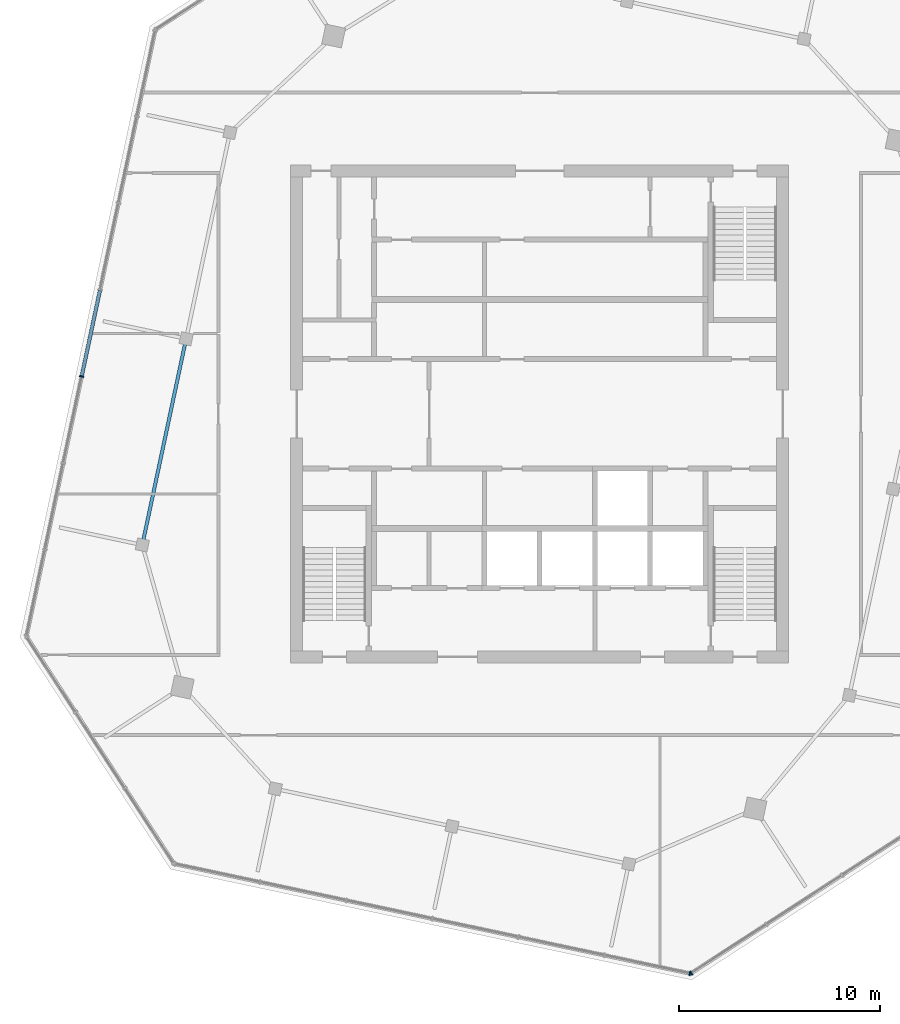
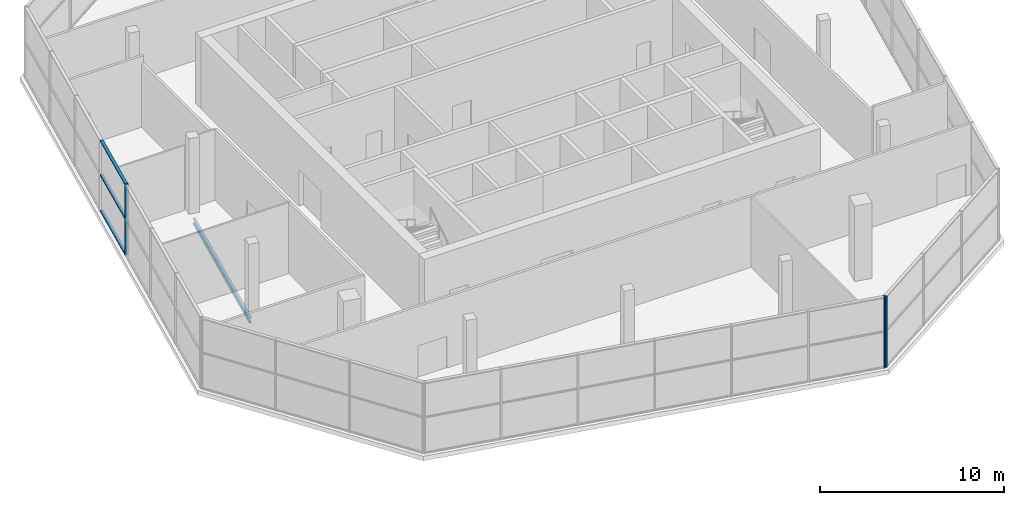
# One storey, part 3 of 11: 6 members, 1 beam, 3 elements without a shape of their own.
"""IFC4 building model written with IfcOpenShell, lengths in metres."""

from ifc_helpers import new_model, si_unit, direction, frame, origin, origin_2d, place, context, subcontext, project, spatial, rectangle, i_section, extrude, material, material_profile, profile_set, type_object, element, aggregate, save


model = new_model("IFC4")

# Units and contexts
model_context = context("Model", 3, precision=1e-05, world=origin(), true_north=direction((0.0, 1.0)))
body_context = subcontext(model_context, "Body", "Model", "MODEL_VIEW")
ifc_project = project(units=[si_unit("LENGTHUNIT", "METRE"), si_unit("AREAUNIT", "SQUARE_METRE"), si_unit("VOLUMEUNIT", "CUBIC_METRE"), si_unit("PLANEANGLEUNIT", "RADIAN"), si_unit("MASSUNIT", "GRAM", prefix="KILO")], contexts=[model_context])

# Site, building, storey
site_placement = place(None, origin())
site = spatial("IfcSite", under=ifc_project, at=site_placement, CompositionType="ELEMENT")
building_placement = place(site_placement, origin())
building = spatial("IfcBuilding", under=site, at=building_placement, Name="Dilmun Exchange Tower", CompositionType="ELEMENT")
storey_placement = place(building_placement, frame((0.0, 0.0, 363.10009765625)))
storey = spatial("IfcBuildingStorey", under=building, at=storey_placement, Name="Crown L85", CompositionType="ELEMENT", Elevation=363.10009765625)

# Curtain wall, member
ifc_material_1 = material(Name="Anodised aluminium and clear glass", Category="aluminium")
curtain_wall_type = type_object("IfcCurtainWallType", Name="Sky garden glazing", PredefinedType="NOTDEFINED", material=ifc_material_1)
curtain_wall_1_placement = place(storey_placement, origin())
curtain_wall_1 = element("IfcCurtainWall", 1, at=curtain_wall_1_placement, inside=storey, type_object=curtain_wall_type, Name="Sky garden glazing run SG1", PredefinedType="NOTDEFINED")
ifc_material_2 = material(Name="Anodised aluminium", Category="aluminium")
ifc_material_profile_1 = material_profile(ifc_material_2, rectangle(XDim=0.219970703125, YDim=0.070068359375, at=origin_2d()), Name="AL 70x220")
ifc_profile_set_1 = profile_set([ifc_material_profile_1], Name="Anodised aluminium")
member_type_1 = type_object("IfcMemberType", Name="Sky garden glazing mullion 70 x 220", PredefinedType="MULLION", material=ifc_profile_set_1)
member_1_placement = place(storey_placement, frame((7.48291015625, -27.86474609375, 0.0), z_axis=(0.0, 0.0, 1.0), x_axis=(0.20791287979, 0.978147348009, 0.0)))
member_1 = element("IfcMember", 2, at=member_1_placement, type_object=member_type_1, Name="SG1 mullion 7", PredefinedType="MULLION", context=body_context, shape_type="SweptSolid", body=[
    extrude(rectangle(XDim=0.219970703125, YDim=0.070068359375, at=origin_2d()), origin(), (0.0, 0.0, 1.0), 4.699951171875),
])
aggregate(curtain_wall_1, [member_1])

curtain_wall_2_placement = place(storey_placement, origin())
curtain_wall_2 = element("IfcCurtainWall", 3, at=curtain_wall_2_placement, inside=storey, type_object=curtain_wall_type, Name="Sky garden glazing run SG2", PredefinedType="NOTDEFINED")
member_2_placement = place(storey_placement, frame((7.546630859375, -27.85302734375, 0.0), z_axis=(0.0, 0.0, 1.0), x_axis=(-0.544644325751, 0.838667132077, 0.0)))
member_2 = element("IfcMember", 4, at=member_2_placement, type_object=member_type_1, Name="SG2 mullion 1", PredefinedType="MULLION", context=body_context, shape_type="SweptSolid", body=[
    extrude(rectangle(XDim=0.219970703125, YDim=0.070068359375, at=origin_2d()), origin(), (0.0, 0.0, 1.0), 4.699951171875),
])
aggregate(curtain_wall_2, [member_2])

# Curtain wall, members
curtain_wall_3_placement = place(storey_placement, origin())
curtain_wall_3 = element("IfcCurtainWall", 5, at=curtain_wall_3_placement, inside=storey, type_object=curtain_wall_type, Name="Sky garden glazing run SG7", PredefinedType="NOTDEFINED")
member_3_placement = place(storey_placement, frame((-22.8095703125, 1.870361328125, 0.0), z_axis=(0.0, 0.0, 1.0), x_axis=(0.97814767341, -0.207911348902, 0.0)))
member_3 = element("IfcMember", 6, at=member_3_placement, type_object=member_type_1, Name="SG7 mullion 5", PredefinedType="MULLION", context=body_context, shape_type="SweptSolid", body=[
    extrude(rectangle(XDim=0.219970703125, YDim=0.070068359375, at=origin_2d()), origin(), (0.0, 0.0, 1.0), 4.699951171875),
])
ifc_material_profile_2 = material_profile(ifc_material_2, rectangle(XDim=0.179931640625, YDim=0.070068359375, at=origin_2d()), Name="AL 70x180")
ifc_profile_set_2 = profile_set([ifc_material_profile_2], Name="Anodised aluminium")
member_type_2 = type_object("IfcMemberType", Name="Sky garden glazing transom 70 x 180", PredefinedType="USERDEFINED", material=ifc_profile_set_2)
member_4_placement = place(storey_placement, frame((-21.899658203125, 6.1513671875, 0.034912109375), z_axis=(-0.207889019517, -0.978152419393, 0.0), x_axis=(0.978152419393, -0.207889019517, 0.0)))
member_4 = element("IfcMember", 7, at=member_4_placement, type_object=member_type_2, Name="SG7 transom 4.1", ObjectType="TRANSOM", PredefinedType="USERDEFINED", context=body_context, shape_type="SweptSolid", body=[
    extrude(rectangle(XDim=0.179931640625, YDim=0.070068359375, at=origin_2d()), origin(), (0.0, 0.0, 1.0), 4.341796875),
])
member_5_placement = place(storey_placement, frame((-21.899658203125, 6.1513671875, 2.39990234375), z_axis=(-0.207889019517, -0.978152419393, 0.0), x_axis=(0.978152419393, -0.207889019517, 0.0)))
member_5 = element("IfcMember", 8, at=member_5_placement, type_object=member_type_2, Name="SG7 transom 4.2", ObjectType="TRANSOM", PredefinedType="USERDEFINED", context=body_context, shape_type="SweptSolid", body=[
    extrude(rectangle(XDim=0.179931640625, YDim=0.070068359375, at=origin_2d()), origin(), (0.0, 0.0, 1.0), 4.341796875),
])
member_6_placement = place(storey_placement, frame((-21.899658203125, 6.1513671875, 4.664794921875), z_axis=(-0.207889019517, -0.978152419393, 0.0), x_axis=(0.978152419393, -0.207889019517, 0.0)))
member_6 = element("IfcMember", 9, at=member_6_placement, type_object=member_type_2, Name="SG7 transom 4.3", ObjectType="TRANSOM", PredefinedType="USERDEFINED", context=body_context, shape_type="SweptSolid", body=[
    extrude(rectangle(XDim=0.179931640625, YDim=0.070068359375, at=origin_2d()), origin(), (0.0, 0.0, 1.0), 4.341796875),
])
aggregate(curtain_wall_3, [member_3, member_4, member_5, member_6])

# Beam
ifc_material_3 = material(Name="Steel S355", Category="steel")
ifc_material_profile_3 = material_profile(ifc_material_3, i_section(OverallWidth=0.169921875, OverallDepth=0.360107421875, WebThickness=0.008056640625, FlangeThickness=0.0126953125, FilletRadius=0.01806640625, at=origin_2d()), Name="IPE 360")
ifc_profile_set_3 = profile_set([ifc_material_profile_3], Name="Steel S355")
beam_type = type_object("IfcBeamType", Name="crown ring beam IPE 360", PredefinedType="BEAM", material=ifc_profile_set_3)
beam_placement = place(storey_placement, frame((-17.663818359375, 3.47509765625, -0.47998046875), z_axis=(-0.207898944968, -0.978150309861, 0.0), x_axis=(0.978150309861, -0.207898944968, 0.0)))
element("IfcBeam", 10, at=beam_placement, inside=storey, type_object=beam_type, Name="Crown ring beam 3", PredefinedType="BEAM", context=body_context, shape_type="SweptSolid", body=[
    extrude(i_section(OverallWidth=0.169921875, OverallDepth=0.360107421875, WebThickness=0.008056640625, FlangeThickness=0.0126953125, FilletRadius=0.01806640625, at=origin_2d()), origin(), (0.0, 0.0, 1.0), 9.95361328125),
])

save(model, "model.ifc")
